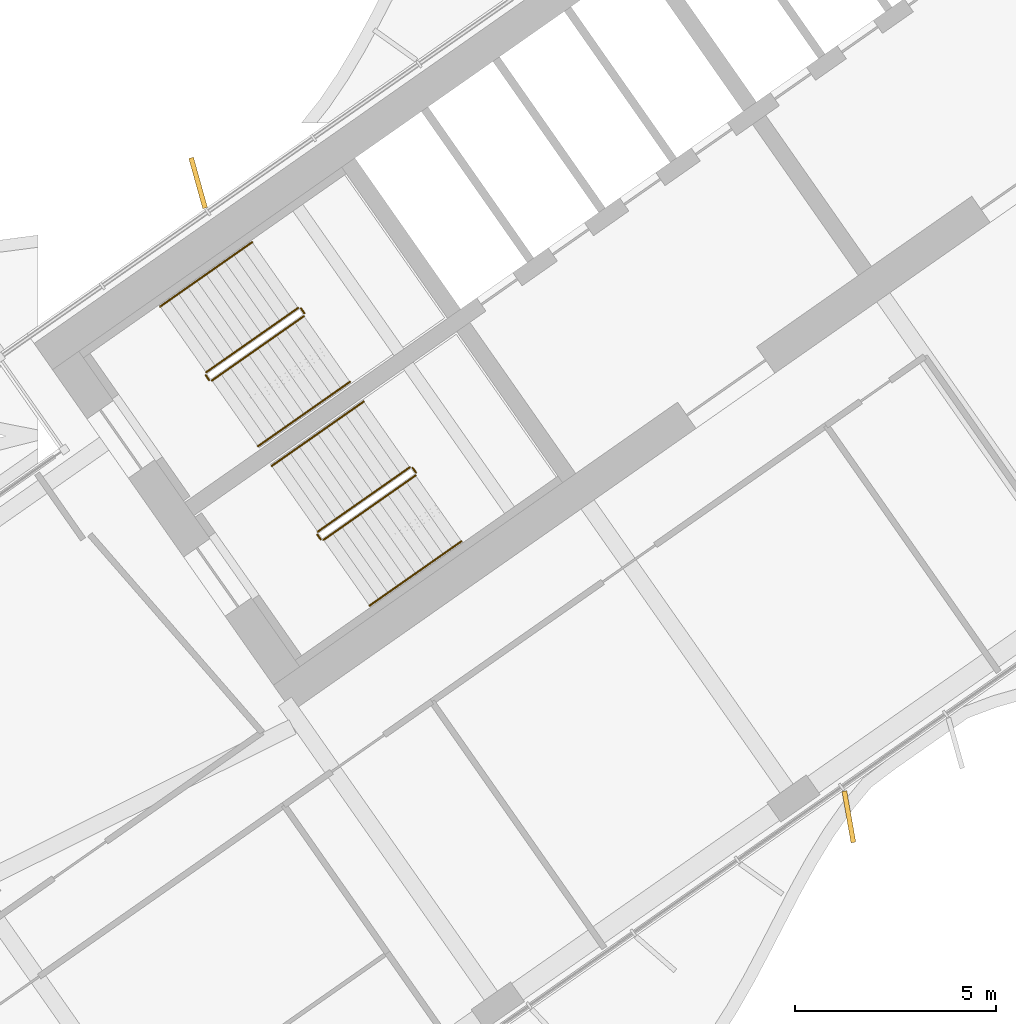
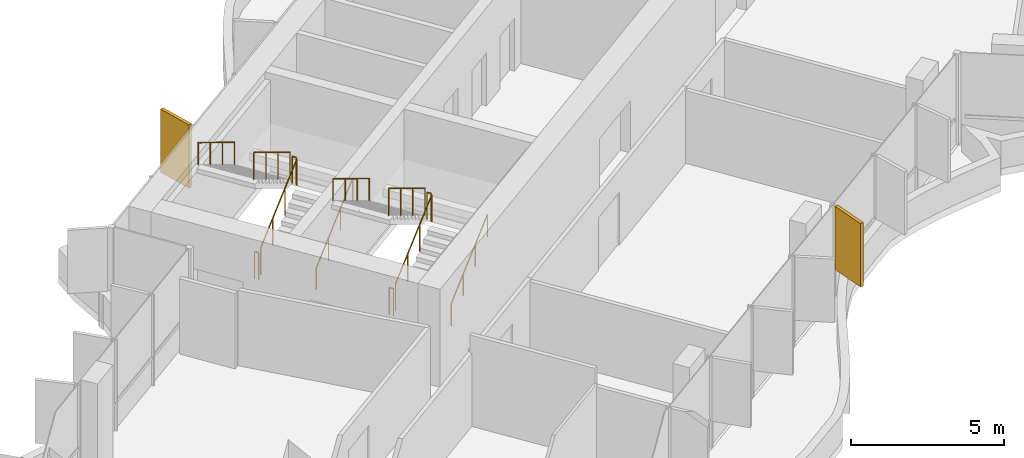
# One storey, part 18 of 21: 12 railings, 2 shading devices.
"""IFC4 building model written with IfcOpenShell, lengths in metres."""

import ifcopenshell
import ifcopenshell.guid

model = None  # the IFC model being written
_history = None  # IfcOwnerHistory: only IFC2X3 demands one
_inside = {}  # id of a spatial element -> (the spatial element, [elements in it])
_under = {}  # id of a project, library or spatial element -> (it, [spatial elements below it])
_declared = {}  # id of a project -> (the project, [libraries it declares])
_typed = {}  # id of a type object -> (the type object, [elements of that type])
_made_of = {}  # id of a material, layer set ... -> (it, [elements and type objects made of it])


def new_model(schema):
    """Start an empty IFC model of exactly this schema.

    Asked for "IFC4X3", IfcOpenShell would pick the latest addendum, in which some entities
    have other attributes; the version numbers below select the first issue.
    IFC2X3 requires an IfcOwnerHistory on every rooted entity: one is made here for all.
    """
    global model, _history
    if schema == "IFC4X3":
        model = ifcopenshell.file(schema_version=(4, 3, 0, 0))
    else:
        model = ifcopenshell.file(schema=schema)
    _inside.clear()
    _under.clear()
    _declared.clear()
    _typed.clear()
    _made_of.clear()
    _history = None
    if model.schema == "IFC2X3":
        org = make("IfcOrganization", Name="unknown")
        user = make(
            "IfcPersonAndOrganization",
            ThePerson=make("IfcPerson", FamilyName="unknown"),
            TheOrganization=org,
        )
        app = make(
            "IfcApplication",
            ApplicationDeveloper=org,
            Version="unknown",
            ApplicationFullName="unknown",
            ApplicationIdentifier="unknown",
        )
        _history = make(
            "IfcOwnerHistory",
            OwningUser=user,
            OwningApplication=app,
            ChangeAction="ADDED",
            CreationDate=0,
        )
    return model


def make(cls, **values):
    """One entity of the class cls with the attributes given. An attribute that is None is left unset."""
    return model.create_entity(
        cls, **{name: value for name, value in values.items() if value is not None}
    )


def rooted(cls, **values):
    """An entity with a GlobalId (a new one), such as an element, a storey or a relation."""
    return make(cls, GlobalId=ifcopenshell.guid.new(), OwnerHistory=_history, **values)


def si_unit(unit_type, name, prefix=None):
    """IfcSIUnit, for example si_unit("LENGTHUNIT", "METRE", prefix="MILLI")."""
    return make("IfcSIUnit", UnitType=unit_type, Prefix=prefix, Name=name)


def assignment(units):
    """IfcUnitAssignment: the units of a project."""
    return None if units is None else make("IfcUnitAssignment", Units=units)


def point(xyz):
    """IfcCartesianPoint."""
    return None if xyz is None else make("IfcCartesianPoint", Coordinates=xyz)


def direction(xyz):
    """IfcDirection."""
    return None if xyz is None else make("IfcDirection", DirectionRatios=xyz)


def frame(location, z_axis=None, x_axis=None):
    """IfcAxis2Placement3D, a coordinate frame: its origin and axes. An axis left out is left unset."""
    return make(
        "IfcAxis2Placement3D",
        Location=point(location),
        Axis=direction(z_axis),
        RefDirection=direction(x_axis),
    )


def frame_2d(location, x_axis=None):
    """IfcAxis2Placement2D, a coordinate frame in the plane: its origin and x axis."""
    return make(
        "IfcAxis2Placement2D", Location=point(location), RefDirection=direction(x_axis)
    )


def origin():
    """The frame at (0, 0, 0) with its axes left unset."""
    return frame((0.0, 0.0, 0.0))


def origin_2d():
    """The frame at (0, 0) in the plane with its x axis left unset."""
    return frame_2d((0.0, 0.0))


def place(relative_to, where):
    """IfcLocalPlacement: puts the frame where relative to a parent placement (None: the world)."""
    return make(
        "IfcLocalPlacement", PlacementRelTo=relative_to, RelativePlacement=where
    )


def context(
    kind, dimensions, precision=None, world=None, true_north=None, identifier=None
):
    """IfcGeometricRepresentationContext, for example the 3D "Model" context."""
    return make(
        "IfcGeometricRepresentationContext",
        ContextIdentifier=identifier,
        ContextType=kind,
        CoordinateSpaceDimension=dimensions,
        Precision=precision,
        WorldCoordinateSystem=world,
        TrueNorth=true_north,
    )


def subcontext(parent, identifier, kind, view, scale=None):
    """IfcGeometricRepresentationSubContext, for example "Body" below "Model"."""
    return make(
        "IfcGeometricRepresentationSubContext",
        ContextIdentifier=identifier,
        ContextType=kind,
        ParentContext=parent,
        TargetScale=scale,
        TargetView=view,
    )


def project(units=None, contexts=None):
    """IfcProject with its units and contexts."""
    return rooted(
        "IfcProject",
        Name="project",
        RepresentationContexts=contexts,
        UnitsInContext=assignment(units),
    )


def spatial(cls, under=None, at=None, **own):
    """A site, building, storey or space (cls), placed at a placement, below another one or the project."""
    s = rooted(cls, ObjectPlacement=at, **own)
    if under is not None:
        _under.setdefault(under.id(), (under, []))[1].append(s)
    return s


def profile(cls, at=None, kind="AREA", **sizes):
    """A parametric profile (cls). Its sizes go by their IFC names, for example OverallWidth=200.0."""
    return make(cls, ProfileType=kind, Position=at, **sizes)


def rectangle(**sizes):
    """IfcRectangleProfileDef."""
    return profile("IfcRectangleProfileDef", **sizes)


def circle(**sizes):
    """IfcCircleProfileDef."""
    return profile("IfcCircleProfileDef", **sizes)


def extrude(swept, where, along, depth):
    """IfcExtrudedAreaSolid: the profile swept, set in the frame where, extruded along a direction by depth."""
    return make(
        "IfcExtrudedAreaSolid",
        SweptArea=swept,
        Position=where,
        ExtrudedDirection=direction(along),
        Depth=depth,
    )


def shape(context_of_items, identifier, shape_type, items):
    """IfcShapeRepresentation: the items that make up one representation, for example the "Body"."""
    return make(
        "IfcShapeRepresentation",
        ContextOfItems=context_of_items,
        RepresentationIdentifier=identifier,
        RepresentationType=shape_type,
        Items=items,
    )


def material(Name=None, Category=None):
    """IfcMaterial."""
    return make("IfcMaterial", Name=Name, Category=Category)


def layer(
    of_material, thickness, ventilated=None, Name=None, Category=None, Priority=None
):
    """IfcMaterialLayer: one layer of a wall or slab, of a material (None: an air gap)."""
    return make(
        "IfcMaterialLayer",
        Material=of_material,
        LayerThickness=thickness,
        IsVentilated=ventilated,
        Name=Name,
        Category=Category,
        Priority=Priority,
    )


def layer_set(layers, Name=None):
    """IfcMaterialLayerSet."""
    return make("IfcMaterialLayerSet", MaterialLayers=layers, LayerSetName=Name)


def made_of(thing, what):
    """Note that an element or type object is made of a material, layer set ...; save() writes the relation."""
    if what is not None:
        _made_of.setdefault(what.id(), (what, []))[1].append(thing)
    return thing


def type_object(cls, material=None, **own):
    """A type object (cls), such as IfcWallType, which elements share."""
    return made_of(rooted(cls, **own), material)


def element(
    cls,
    number,
    at=None,
    inside=None,
    cuts=None,
    type_object=None,
    material=None,
    context=None,
    identifier="Body",
    shape_type=None,
    held_by="IfcProductDefinitionShape",
    body=None,
    shapes=None,
    **own,
):
    """One element of the class cls, such as IfcWall. Its Tag is "e" and its number.

    at: its placement. inside: the storey or other place that contains it. cuts: it is an
    opening in that element (IfcRelVoidsElement). A single representation is given by context,
    identifier, shape_type and body (its items); several are given by shapes. held_by: the class
    of the entity that holds the representations. save() writes the other relations.
    """
    e = rooted(cls, Tag="e%d" % number, ObjectPlacement=at, **own)
    if body is not None:
        shapes = [shape(context, identifier, shape_type, body)]
    if shapes is not None:
        e.Representation = make(held_by, Representations=shapes)
    if inside is not None:
        _inside.setdefault(inside.id(), (inside, []))[1].append(e)
    if cuts is not None:
        rooted(
            "IfcRelVoidsElement", RelatingBuildingElement=cuts, RelatedOpeningElement=e
        )
    if type_object is not None:
        _typed.setdefault(type_object.id(), (type_object, []))[1].append(e)
    return made_of(e, material)


def aggregate(whole, parts):
    """IfcRelAggregates: a whole, such as a stair, and the parts it consists of."""
    return rooted("IfcRelAggregates", RelatingObject=whole, RelatedObjects=parts)


def save(model, path):
    """Write the relations noted so far, then the file.

    IfcRelAggregates (storeys below a building ...), IfcRelContainedInSpatialStructure (elements
    in a storey), IfcRelDefinesByType, IfcRelAssociatesMaterial and IfcRelDeclares: one each for
    every whole, place, type object, material and project.
    """
    for whole, parts in _under.values():
        aggregate(whole, parts)
    for where, things in _inside.values():
        rooted(
            "IfcRelContainedInSpatialStructure",
            RelatedElements=things,
            RelatingStructure=where,
        )
    for kind, things in _typed.values():
        rooted("IfcRelDefinesByType", RelatedObjects=things, RelatingType=kind)
    for what, things in _made_of.values():
        rooted("IfcRelAssociatesMaterial", RelatedObjects=things, RelatingMaterial=what)
    for by, libraries in _declared.values():
        rooted("IfcRelDeclares", RelatingContext=by, RelatedDefinitions=libraries)
    model.write(path)


model = new_model("IFC4")

# Units and contexts
model_context = context("Model", 3, precision=1e-05, world=origin(), true_north=direction((0.0, 1.0)))
body_context = subcontext(model_context, "Body", "Model", "MODEL_VIEW")
ifc_project = project(units=[si_unit("LENGTHUNIT", "METRE"), si_unit("AREAUNIT", "SQUARE_METRE"), si_unit("VOLUMEUNIT", "CUBIC_METRE"), si_unit("PLANEANGLEUNIT", "RADIAN"), si_unit("MASSUNIT", "GRAM", prefix="KILO")], contexts=[model_context])

# Site, building, storey
site_placement = place(None, origin())
site = spatial("IfcSite", under=ifc_project, at=site_placement, CompositionType="ELEMENT")
building_placement = place(site_placement, origin())
building = spatial("IfcBuilding", under=site, at=building_placement, Name="Tel Ilan Convention Tower", CompositionType="ELEMENT")
storey_placement = place(building_placement, frame((0.0, 0.0, 147.60009765625)))
storey = spatial("IfcBuildingStorey", under=building, at=storey_placement, Name="L33", CompositionType="ELEMENT", Elevation=147.60009765625)

# Shading devices
ifc_material_1 = material(Name="Aluminium, bronze anodised", Category="aluminium")
ifc_layer = layer(ifc_material_1, 0.1201171875)
ifc_layer_set = layer_set([ifc_layer], Name="FIN BRONZE 1300x120")
shading_device_type = type_object("IfcShadingDeviceType", Name="FIN BRONZE 1300x120", PredefinedType="USERDEFINED", material=ifc_layer_set)
for number, where, z_axis, x_axis, name in (
    (1, (-23.879150390625, -3.130126953125, 1.099853515625), (0.0, 0.0, 1.0), (-0.268172612768, 0.963370878614, 0.0), "FIN"),
    (2, (-7.657958984375, -18.929931640625, 1.099853515625), (0.0, 0.0, 1.0), (0.173648177667, -0.984807753012, 0.0), "FIN"),
):
    element("IfcShadingDevice", number, at=place(storey_placement, frame(where, z_axis=z_axis, x_axis=x_axis)), inside=storey, type_object=shading_device_type, Name=name, ObjectType="FIN", PredefinedType="USERDEFINED", context=body_context, shape_type="SweptSolid", body=[
        extrude(rectangle(XDim=1.300048828125, YDim=0.1201171875, at=origin_2d()), origin(), (0.0, 0.0, 1.0), 2.52001953125),
    ])

# Railings
ifc_material_2 = material(Name="Stainless Steel Grade 316", Category="steel")
railing_type_1 = type_object("IfcRailingType", Name="Stainless Steel Stair Guard 1100 mm", PredefinedType="GUARDRAIL", material=ifc_material_2)
railing_1_placement = place(storey_placement, frame((-23.535400390625, -8.056396484375, 0.17724609375)))
element("IfcRailing", 3, at=railing_1_placement, inside=storey, type_object=railing_type_1, Name="L33 S1 stair guard 1", PredefinedType="GUARDRAIL", context=body_context, shape_type="SweptSolid", body=[
    extrude(circle(Radius=0.02392578125, at=origin_2d()), frame((0.0, 0.0, 1.076171875), z_axis=(0.692098378994, 0.484653031975, 0.534893701956), x_axis=(-0.573608623498, 0.819129505664, 0.0)), (0.0, 0.0, 1.0), 3.314208984375),
    extrude(circle(Radius=0.02099609375, at=origin_2d()), origin(), (0.0, 0.0, 1.0), 1.052001953125),
    extrude(circle(Radius=0.02099609375, at=origin_2d()), frame((0.7646484375, 0.535400390625, 0.5908203125)), (0.0, 0.0, 1.0), 1.052001953125),
    extrude(circle(Radius=0.02099609375, at=origin_2d()), frame((1.529052734375, 1.07080078125, 1.181884765625)), (0.0, 0.0, 1.0), 1.052001953125),
    extrude(circle(Radius=0.02099609375, at=origin_2d()), frame((2.293701171875, 1.606201171875, 1.772705078125)), (0.0, 0.0, 1.0), 1.052001953125),
])
railing_2_placement = place(storey_placement, frame((-21.2294921875, -6.380615234375, 1.949951171875)))
element("IfcRailing", 4, at=railing_2_placement, inside=storey, type_object=railing_type_1, Name="L33 S1 stair guard 2", PredefinedType="GUARDRAIL", context=body_context, shape_type="SweptSolid", body=[
    extrude(circle(Radius=0.02392578125, at=origin_2d()), frame((0.0, 0.0, 1.076171875), z_axis=(-0.573353020881, 0.819308436089, 0.0), x_axis=(-0.819308436089, -0.573353020881, 0.0)), (0.0, 0.0, 1.0), 0.14990234375),
    extrude(circle(Radius=0.02099609375, at=origin_2d()), origin(), (0.0, 0.0, 1.0), 1.052001953125),
    extrude(circle(Radius=0.02099609375, at=origin_2d()), frame((-0.0859375, 0.122802734375, 0.0)), (0.0, 0.0, 1.0), 1.052001953125),
])
railing_3_placement = place(storey_placement, frame((-21.38525390625, -6.24560546875, 2.127197265625)))
element("IfcRailing", 5, at=railing_3_placement, inside=storey, type_object=railing_type_1, Name="L33 S1 stair guard 3", PredefinedType="GUARDRAIL", context=body_context, shape_type="SweptSolid", body=[
    extrude(circle(Radius=0.02392578125, at=origin_2d()), frame((0.0, 0.0, 1.076171875), z_axis=(-0.692084706163, -0.484621375041, 0.534940073605), x_axis=(0.573591086599, -0.819141785879, 0.0)), (0.0, 0.0, 1.0), 3.313720703125),
    extrude(circle(Radius=0.02099609375, at=origin_2d()), origin(), (0.0, 0.0, 1.0), 1.052001953125),
    extrude(circle(Radius=0.02099609375, at=origin_2d()), frame((-0.764404296875, -0.535400390625, 0.5908203125)), (0.0, 0.0, 1.0), 1.052001953125),
    extrude(circle(Radius=0.02099609375, at=origin_2d()), frame((-1.529052734375, -1.070556640625, 1.181884765625)), (0.0, 0.0, 1.0), 1.052001953125),
    extrude(circle(Radius=0.02099609375, at=origin_2d()), frame((-2.29345703125, -1.60595703125, 1.772705078125)), (0.0, 0.0, 1.0), 1.052001953125),
])
railing_4_placement = place(storey_placement, frame((-23.60498046875, -8.0439453125, 0.0)))
element("IfcRailing", 6, at=railing_4_placement, inside=storey, type_object=railing_type_1, Name="L33 S1 stair guard 4", PredefinedType="GUARDRAIL", context=body_context, shape_type="SweptSolid", body=[
    extrude(circle(Radius=0.02392578125, at=origin_2d()), frame((0.0, 0.0, 1.076171875), z_axis=(-0.574444878118, 0.818543268254, 0.0), x_axis=(-0.818543268254, -0.574444878118, 0.0)), (0.0, 0.0, 1.0), 0.150146484375),
    extrude(circle(Radius=0.02099609375, at=origin_2d()), origin(), (0.0, 0.0, 1.0), 1.052001953125),
    extrude(circle(Radius=0.02099609375, at=origin_2d()), frame((-0.086181640625, 0.122802734375, 0.0)), (0.0, 0.0, 1.0), 1.052001953125),
])
railing_5_placement = place(storey_placement, frame((-20.753662109375, -12.029296875, 0.17724609375)))
element("IfcRailing", 7, at=railing_5_placement, inside=storey, type_object=railing_type_1, Name="L33 S2 stair guard 1", PredefinedType="GUARDRAIL", context=body_context, shape_type="SweptSolid", body=[
    extrude(circle(Radius=0.02392578125, at=origin_2d()), frame((0.0, 0.0, 1.076171875), z_axis=(0.692098378994, 0.484653031975, 0.534893701956), x_axis=(-0.573608623498, 0.819129505664, 0.0)), (0.0, 0.0, 1.0), 3.314208984375),
    extrude(circle(Radius=0.02099609375, at=origin_2d()), origin(), (0.0, 0.0, 1.0), 1.052001953125),
    extrude(circle(Radius=0.02099609375, at=origin_2d()), frame((0.7646484375, 0.535400390625, 0.5908203125)), (0.0, 0.0, 1.0), 1.052001953125),
    extrude(circle(Radius=0.02099609375, at=origin_2d()), frame((1.529052734375, 1.07080078125, 1.181884765625)), (0.0, 0.0, 1.0), 1.052001953125),
    extrude(circle(Radius=0.02099609375, at=origin_2d()), frame((2.293701171875, 1.606201171875, 1.772705078125)), (0.0, 0.0, 1.0), 1.052001953125),
])
railing_6_placement = place(storey_placement, frame((-18.44775390625, -10.353515625, 1.949951171875)))
element("IfcRailing", 8, at=railing_6_placement, inside=storey, type_object=railing_type_1, Name="L33 S2 stair guard 2", PredefinedType="GUARDRAIL", context=body_context, shape_type="SweptSolid", body=[
    extrude(circle(Radius=0.02392578125, at=origin_2d()), frame((0.0, 0.0, 1.076171875), z_axis=(-0.573353020881, 0.819308436089, 0.0), x_axis=(-0.819308436089, -0.573353020881, 0.0)), (0.0, 0.0, 1.0), 0.14990234375),
    extrude(circle(Radius=0.02099609375, at=origin_2d()), origin(), (0.0, 0.0, 1.0), 1.052001953125),
    extrude(circle(Radius=0.02099609375, at=origin_2d()), frame((-0.0859375, 0.122802734375, 0.0)), (0.0, 0.0, 1.0), 1.052001953125),
])
railing_7_placement = place(storey_placement, frame((-18.603271484375, -10.218505859375, 2.127197265625)))
element("IfcRailing", 9, at=railing_7_placement, inside=storey, type_object=railing_type_1, Name="L33 S2 stair guard 3", PredefinedType="GUARDRAIL", context=body_context, shape_type="SweptSolid", body=[
    extrude(circle(Radius=0.02392578125, at=origin_2d()), frame((0.0, 0.0, 1.076171875), z_axis=(-0.692123088272, -0.484596665743, 0.534912798717), x_axis=(0.573550118428, -0.819170471667, 0.0)), (0.0, 0.0, 1.0), 3.31396484375),
    extrude(circle(Radius=0.02099609375, at=origin_2d()), origin(), (0.0, 0.0, 1.0), 1.052001953125),
    extrude(circle(Radius=0.02099609375, at=origin_2d()), frame((-0.7646484375, -0.535400390625, 0.5908203125)), (0.0, 0.0, 1.0), 1.052001953125),
    extrude(circle(Radius=0.02099609375, at=origin_2d()), frame((-1.529052734375, -1.070556640625, 1.181884765625)), (0.0, 0.0, 1.0), 1.052001953125),
    extrude(circle(Radius=0.02099609375, at=origin_2d()), frame((-2.293701171875, -1.60595703125, 1.772705078125)), (0.0, 0.0, 1.0), 1.052001953125),
])
railing_8_placement = place(storey_placement, frame((-20.8232421875, -12.016845703125, 0.0)))
element("IfcRailing", 10, at=railing_8_placement, inside=storey, type_object=railing_type_1, Name="L33 S2 stair guard 4", PredefinedType="GUARDRAIL", context=body_context, shape_type="SweptSolid", body=[
    extrude(circle(Radius=0.02392578125, at=origin_2d()), frame((0.0, 0.0, 1.076171875), z_axis=(-0.573353020881, 0.819308436089, 0.0), x_axis=(-0.819308436089, -0.573353020881, 0.0)), (0.0, 0.0, 1.0), 0.14990234375),
    extrude(circle(Radius=0.02099609375, at=origin_2d()), origin(), (0.0, 0.0, 1.0), 1.052001953125),
    extrude(circle(Radius=0.02099609375, at=origin_2d()), frame((-0.0859375, 0.122802734375, 0.0)), (0.0, 0.0, 1.0), 1.052001953125),
])
ifc_material_3 = material(Name="Stainless Steel Grade 316", Category="steel")
railing_type_2 = type_object("IfcRailingType", Name="Stainless Steel Stair Handrail 900 mm", PredefinedType="HANDRAIL", material=ifc_material_3)
railing_9_placement = place(storey_placement, frame((-22.38818359375, -9.694580078125, 0.17724609375)))
element("IfcRailing", 11, at=railing_9_placement, inside=storey, type_object=railing_type_2, Name="L33 S1 stair handrail 1", PredefinedType="HANDRAIL", context=body_context, shape_type="SweptSolid", body=[
    extrude(circle(Radius=0.02392578125, at=origin_2d()), frame((0.0, 0.0, 0.8759765625), z_axis=(0.692084706163, 0.484621375041, 0.534940073605), x_axis=(-0.573591086599, 0.819141785879, 0.0)), (0.0, 0.0, 1.0), 3.313720703125),
    extrude(circle(Radius=0.02099609375, at=origin_2d()), origin(), (0.0, 0.0, 1.0), 0.851806640625),
    extrude(circle(Radius=0.02099609375, at=origin_2d()), frame((0.764404296875, 0.535400390625, 0.5908203125)), (0.0, 0.0, 1.0), 0.851806640625),
    extrude(circle(Radius=0.02099609375, at=origin_2d()), frame((1.529052734375, 1.070556640625, 1.181884765625)), (0.0, 0.0, 1.0), 0.851806640625),
    extrude(circle(Radius=0.02099609375, at=origin_2d()), frame((2.29345703125, 1.60595703125, 1.772705078125)), (0.0, 0.0, 1.0), 0.851806640625),
])
railing_10_placement = place(storey_placement, frame((-22.5322265625, -4.607177734375, 2.127197265625)))
element("IfcRailing", 12, at=railing_10_placement, inside=storey, type_object=railing_type_2, Name="L33 S1 stair handrail 2", PredefinedType="HANDRAIL", context=body_context, shape_type="SweptSolid", body=[
    extrude(circle(Radius=0.02392578125, at=origin_2d()), frame((0.0, 0.0, 0.8759765625), z_axis=(-0.692123088272, -0.484596665743, 0.534912798717), x_axis=(0.573550118428, -0.819170471667, 0.0)), (0.0, 0.0, 1.0), 3.31396484375),
    extrude(circle(Radius=0.02099609375, at=origin_2d()), origin(), (0.0, 0.0, 1.0), 0.851806640625),
    extrude(circle(Radius=0.02099609375, at=origin_2d()), frame((-0.7646484375, -0.535400390625, 0.5908203125)), (0.0, 0.0, 1.0), 0.851806640625),
    extrude(circle(Radius=0.02099609375, at=origin_2d()), frame((-1.529052734375, -1.070556640625, 1.181884765625)), (0.0, 0.0, 1.0), 0.851806640625),
    extrude(circle(Radius=0.02099609375, at=origin_2d()), frame((-2.293701171875, -1.60595703125, 1.772705078125)), (0.0, 0.0, 1.0), 0.851806640625),
])
railing_11_placement = place(storey_placement, frame((-19.6064453125, -13.66748046875, 0.17724609375)))
element("IfcRailing", 13, at=railing_11_placement, inside=storey, type_object=railing_type_2, Name="L33 S2 stair handrail 1", PredefinedType="HANDRAIL", context=body_context, shape_type="SweptSolid", body=[
    extrude(circle(Radius=0.02392578125, at=origin_2d()), frame((0.0, 0.0, 0.8759765625), z_axis=(0.692123088272, 0.484596665743, 0.534912798717), x_axis=(-0.573550118428, 0.819170471667, 0.0)), (0.0, 0.0, 1.0), 3.31396484375),
    extrude(circle(Radius=0.02099609375, at=origin_2d()), origin(), (0.0, 0.0, 1.0), 0.851806640625),
    extrude(circle(Radius=0.02099609375, at=origin_2d()), frame((0.7646484375, 0.535400390625, 0.5908203125)), (0.0, 0.0, 1.0), 0.851806640625),
    extrude(circle(Radius=0.02099609375, at=origin_2d()), frame((1.529052734375, 1.070556640625, 1.181884765625)), (0.0, 0.0, 1.0), 0.851806640625),
    extrude(circle(Radius=0.02099609375, at=origin_2d()), frame((2.293701171875, 1.60595703125, 1.772705078125)), (0.0, 0.0, 1.0), 0.851806640625),
])
railing_12_placement = place(storey_placement, frame((-19.75048828125, -8.580078125, 2.127197265625)))
element("IfcRailing", 14, at=railing_12_placement, inside=storey, type_object=railing_type_2, Name="L33 S2 stair handrail 2", PredefinedType="HANDRAIL", context=body_context, shape_type="SweptSolid", body=[
    extrude(circle(Radius=0.02392578125, at=origin_2d()), frame((0.0, 0.0, 0.8759765625), z_axis=(-0.692123088272, -0.484596665743, 0.534912798717), x_axis=(0.573550118428, -0.819170471667, 0.0)), (0.0, 0.0, 1.0), 3.31396484375),
    extrude(circle(Radius=0.02099609375, at=origin_2d()), origin(), (0.0, 0.0, 1.0), 0.851806640625),
    extrude(circle(Radius=0.02099609375, at=origin_2d()), frame((-0.7646484375, -0.535400390625, 0.5908203125)), (0.0, 0.0, 1.0), 0.851806640625),
    extrude(circle(Radius=0.02099609375, at=origin_2d()), frame((-1.529052734375, -1.070556640625, 1.181884765625)), (0.0, 0.0, 1.0), 0.851806640625),
    extrude(circle(Radius=0.02099609375, at=origin_2d()), frame((-2.293701171875, -1.60595703125, 1.772705078125)), (0.0, 0.0, 1.0), 0.851806640625),
])

save(model, "model.ifc")
